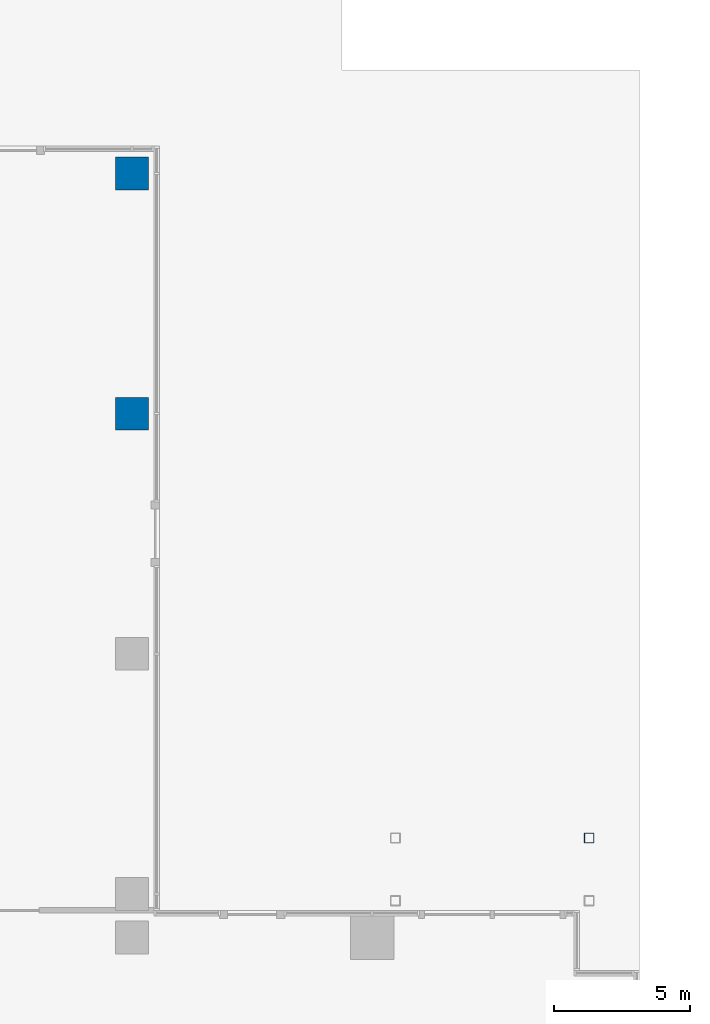
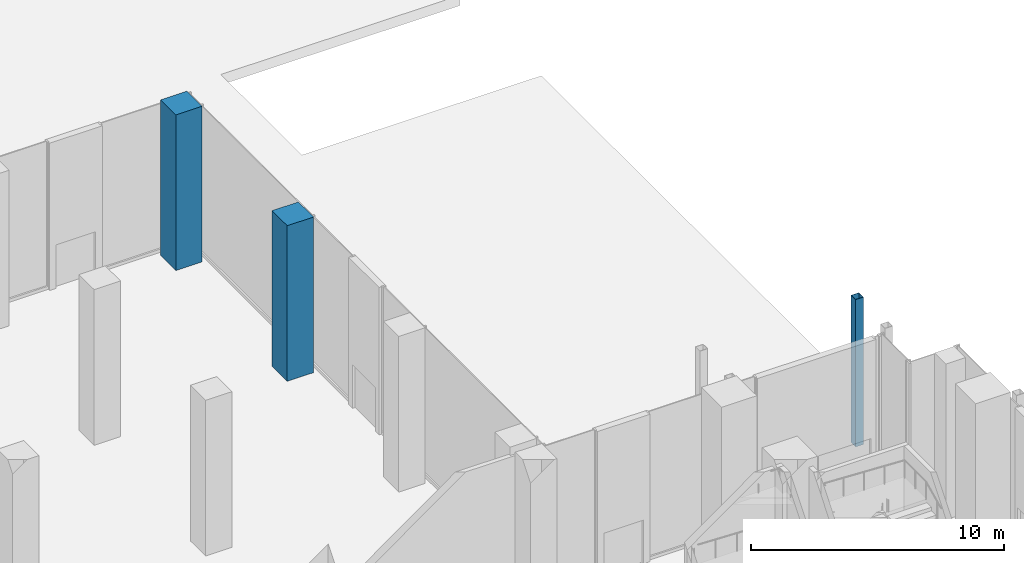
# One storey, part 6 of 41: 3 columns.
"""IFC4 building model written with IfcOpenShell, lengths in metres."""

import ifcopenshell
import ifcopenshell.guid

model = None  # the IFC model being written
_history = None  # IfcOwnerHistory: only IFC2X3 demands one
_inside = {}  # id of a spatial element -> (the spatial element, [elements in it])
_under = {}  # id of a project, library or spatial element -> (it, [spatial elements below it])
_declared = {}  # id of a project -> (the project, [libraries it declares])
_typed = {}  # id of a type object -> (the type object, [elements of that type])
_made_of = {}  # id of a material, layer set ... -> (it, [elements and type objects made of it])


def new_model(schema):
    """Start an empty IFC model of exactly this schema.

    Asked for "IFC4X3", IfcOpenShell would pick the latest addendum, in which some entities
    have other attributes; the version numbers below select the first issue.
    IFC2X3 requires an IfcOwnerHistory on every rooted entity: one is made here for all.
    """
    global model, _history
    if schema == "IFC4X3":
        model = ifcopenshell.file(schema_version=(4, 3, 0, 0))
    else:
        model = ifcopenshell.file(schema=schema)
    _inside.clear()
    _under.clear()
    _declared.clear()
    _typed.clear()
    _made_of.clear()
    _history = None
    if model.schema == "IFC2X3":
        org = make("IfcOrganization", Name="unknown")
        user = make(
            "IfcPersonAndOrganization",
            ThePerson=make("IfcPerson", FamilyName="unknown"),
            TheOrganization=org,
        )
        app = make(
            "IfcApplication",
            ApplicationDeveloper=org,
            Version="unknown",
            ApplicationFullName="unknown",
            ApplicationIdentifier="unknown",
        )
        _history = make(
            "IfcOwnerHistory",
            OwningUser=user,
            OwningApplication=app,
            ChangeAction="ADDED",
            CreationDate=0,
        )
    return model


def make(cls, **values):
    """One entity of the class cls with the attributes given. An attribute that is None is left unset."""
    return model.create_entity(
        cls, **{name: value for name, value in values.items() if value is not None}
    )


def rooted(cls, **values):
    """An entity with a GlobalId (a new one), such as an element, a storey or a relation."""
    return make(cls, GlobalId=ifcopenshell.guid.new(), OwnerHistory=_history, **values)


def si_unit(unit_type, name, prefix=None):
    """IfcSIUnit, for example si_unit("LENGTHUNIT", "METRE", prefix="MILLI")."""
    return make("IfcSIUnit", UnitType=unit_type, Prefix=prefix, Name=name)


def assignment(units):
    """IfcUnitAssignment: the units of a project."""
    return None if units is None else make("IfcUnitAssignment", Units=units)


def point(xyz):
    """IfcCartesianPoint."""
    return None if xyz is None else make("IfcCartesianPoint", Coordinates=xyz)


def direction(xyz):
    """IfcDirection."""
    return None if xyz is None else make("IfcDirection", DirectionRatios=xyz)


def frame(location, z_axis=None, x_axis=None):
    """IfcAxis2Placement3D, a coordinate frame: its origin and axes. An axis left out is left unset."""
    return make(
        "IfcAxis2Placement3D",
        Location=point(location),
        Axis=direction(z_axis),
        RefDirection=direction(x_axis),
    )


def frame_2d(location, x_axis=None):
    """IfcAxis2Placement2D, a coordinate frame in the plane: its origin and x axis."""
    return make(
        "IfcAxis2Placement2D", Location=point(location), RefDirection=direction(x_axis)
    )


def origin():
    """The frame at (0, 0, 0) with its axes left unset."""
    return frame((0.0, 0.0, 0.0))


def origin_2d():
    """The frame at (0, 0) in the plane with its x axis left unset."""
    return frame_2d((0.0, 0.0))


def place(relative_to, where):
    """IfcLocalPlacement: puts the frame where relative to a parent placement (None: the world)."""
    return make(
        "IfcLocalPlacement", PlacementRelTo=relative_to, RelativePlacement=where
    )


def context(
    kind, dimensions, precision=None, world=None, true_north=None, identifier=None
):
    """IfcGeometricRepresentationContext, for example the 3D "Model" context."""
    return make(
        "IfcGeometricRepresentationContext",
        ContextIdentifier=identifier,
        ContextType=kind,
        CoordinateSpaceDimension=dimensions,
        Precision=precision,
        WorldCoordinateSystem=world,
        TrueNorth=true_north,
    )


def subcontext(parent, identifier, kind, view, scale=None):
    """IfcGeometricRepresentationSubContext, for example "Body" below "Model"."""
    return make(
        "IfcGeometricRepresentationSubContext",
        ContextIdentifier=identifier,
        ContextType=kind,
        ParentContext=parent,
        TargetScale=scale,
        TargetView=view,
    )


def project(units=None, contexts=None):
    """IfcProject with its units and contexts."""
    return rooted(
        "IfcProject",
        Name="project",
        RepresentationContexts=contexts,
        UnitsInContext=assignment(units),
    )


def spatial(cls, under=None, at=None, **own):
    """A site, building, storey or space (cls), placed at a placement, below another one or the project."""
    s = rooted(cls, ObjectPlacement=at, **own)
    if under is not None:
        _under.setdefault(under.id(), (under, []))[1].append(s)
    return s


def profile(cls, at=None, kind="AREA", **sizes):
    """A parametric profile (cls). Its sizes go by their IFC names, for example OverallWidth=200.0."""
    return make(cls, ProfileType=kind, Position=at, **sizes)


def rectangle(**sizes):
    """IfcRectangleProfileDef."""
    return profile("IfcRectangleProfileDef", **sizes)


def hollow_rectangle(**sizes):
    """IfcRectangleHollowProfileDef."""
    return profile("IfcRectangleHollowProfileDef", **sizes)


def extrude(swept, where, along, depth):
    """IfcExtrudedAreaSolid: the profile swept, set in the frame where, extruded along a direction by depth."""
    return make(
        "IfcExtrudedAreaSolid",
        SweptArea=swept,
        Position=where,
        ExtrudedDirection=direction(along),
        Depth=depth,
    )


def shape(context_of_items, identifier, shape_type, items):
    """IfcShapeRepresentation: the items that make up one representation, for example the "Body"."""
    return make(
        "IfcShapeRepresentation",
        ContextOfItems=context_of_items,
        RepresentationIdentifier=identifier,
        RepresentationType=shape_type,
        Items=items,
    )


def material(Name=None, Category=None):
    """IfcMaterial."""
    return make("IfcMaterial", Name=Name, Category=Category)


def material_profile(
    of_material, cross_section, Name=None, Category=None, Priority=None
):
    """IfcMaterialProfile: a cross section and its material."""
    return make(
        "IfcMaterialProfile",
        Name=Name,
        Material=of_material,
        Profile=cross_section,
        Priority=Priority,
        Category=Category,
    )


def profile_set(profiles, Name=None, composite=None):
    """IfcMaterialProfileSet."""
    return make(
        "IfcMaterialProfileSet",
        Name=Name,
        MaterialProfiles=profiles,
        CompositeProfile=composite,
    )


def made_of(thing, what):
    """Note that an element or type object is made of a material, layer set ...; save() writes the relation."""
    if what is not None:
        _made_of.setdefault(what.id(), (what, []))[1].append(thing)
    return thing


def type_object(cls, material=None, **own):
    """A type object (cls), such as IfcWallType, which elements share."""
    return made_of(rooted(cls, **own), material)


def element(
    cls,
    number,
    at=None,
    inside=None,
    cuts=None,
    type_object=None,
    material=None,
    context=None,
    identifier="Body",
    shape_type=None,
    held_by="IfcProductDefinitionShape",
    body=None,
    shapes=None,
    **own,
):
    """One element of the class cls, such as IfcWall. Its Tag is "e" and its number.

    at: its placement. inside: the storey or other place that contains it. cuts: it is an
    opening in that element (IfcRelVoidsElement). A single representation is given by context,
    identifier, shape_type and body (its items); several are given by shapes. held_by: the class
    of the entity that holds the representations. save() writes the other relations.
    """
    e = rooted(cls, Tag="e%d" % number, ObjectPlacement=at, **own)
    if body is not None:
        shapes = [shape(context, identifier, shape_type, body)]
    if shapes is not None:
        e.Representation = make(held_by, Representations=shapes)
    if inside is not None:
        _inside.setdefault(inside.id(), (inside, []))[1].append(e)
    if cuts is not None:
        rooted(
            "IfcRelVoidsElement", RelatingBuildingElement=cuts, RelatedOpeningElement=e
        )
    if type_object is not None:
        _typed.setdefault(type_object.id(), (type_object, []))[1].append(e)
    return made_of(e, material)


def aggregate(whole, parts):
    """IfcRelAggregates: a whole, such as a stair, and the parts it consists of."""
    return rooted("IfcRelAggregates", RelatingObject=whole, RelatedObjects=parts)


def save(model, path):
    """Write the relations noted so far, then the file.

    IfcRelAggregates (storeys below a building ...), IfcRelContainedInSpatialStructure (elements
    in a storey), IfcRelDefinesByType, IfcRelAssociatesMaterial and IfcRelDeclares: one each for
    every whole, place, type object, material and project.
    """
    for whole, parts in _under.values():
        aggregate(whole, parts)
    for where, things in _inside.values():
        rooted(
            "IfcRelContainedInSpatialStructure",
            RelatedElements=things,
            RelatingStructure=where,
        )
    for kind, things in _typed.values():
        rooted("IfcRelDefinesByType", RelatedObjects=things, RelatingType=kind)
    for what, things in _made_of.values():
        rooted("IfcRelAssociatesMaterial", RelatedObjects=things, RelatingMaterial=what)
    for by, libraries in _declared.values():
        rooted("IfcRelDeclares", RelatingContext=by, RelatedDefinitions=libraries)
    model.write(path)


model = new_model("IFC4")

# Units and contexts
model_context = context("Model", 3, precision=1e-05, world=origin(), true_north=direction((0.0, 1.0)))
body_context = subcontext(model_context, "Body", "Model", "MODEL_VIEW")
ifc_project = project(units=[si_unit("LENGTHUNIT", "METRE"), si_unit("AREAUNIT", "SQUARE_METRE"), si_unit("VOLUMEUNIT", "CUBIC_METRE"), si_unit("PLANEANGLEUNIT", "RADIAN"), si_unit("MASSUNIT", "GRAM", prefix="KILO")], contexts=[model_context])

# Site, building, storey
site_placement = place(None, origin())
site = spatial("IfcSite", under=ifc_project, at=site_placement, CompositionType="ELEMENT")
building_placement = place(site_placement, origin())
building = spatial("IfcBuilding", under=site, at=building_placement, Name="Kemantara Hotel Tower", CompositionType="ELEMENT")
storey_placement = place(building_placement, origin())
storey = spatial("IfcBuildingStorey", under=building, at=storey_placement, Name="L00", CompositionType="ELEMENT", Elevation=0.0)

# Columns
ifc_material_1 = material(Name="Steel ASTM A500 Grade C", Category="steel")
ifc_material_profile_1 = material_profile(ifc_material_1, hollow_rectangle(XDim=0.355712890625, YDim=0.355712890625, WallThickness=0.0126953125, at=origin_2d()), Name="HSS355.6X355.6X12.7")
ifc_profile_set_1 = profile_set([ifc_material_profile_1], Name="Steel ASTM A500 Grade C")
column_type_1 = type_object("IfcColumnType", Name="CANOPY POST HSS355.6X355.6X12.7", PredefinedType="COLUMN", material=ifc_profile_set_1)
column_placement = place(storey_placement, frame((79.35009765625, 29.449951171875, 0.0), z_axis=(0.0, 0.0, 1.0), x_axis=(1.0, 0.0, 0.0)))
element("IfcColumn", 1, at=column_placement, inside=storey, type_object=column_type_1, Name="CANOPY POST STATION-N-4", PredefinedType="COLUMN", context=body_context, shape_type="SweptSolid", body=[
    extrude(hollow_rectangle(XDim=0.355712890625, YDim=0.355712890625, WallThickness=0.0126953125, at=origin_2d()), origin(), (0.0, 0.0, 1.0), 7.10009765625),
])
ifc_material_2 = material(Name="Concrete fc 70 MPa", Category="concrete")
ifc_material_profile_2 = material_profile(ifc_material_2, rectangle(XDim=1.199951171875, YDim=1.199951171875, at=origin_2d()), Name="RC 1200X1200")
ifc_profile_set_2 = profile_set([ifc_material_profile_2], Name="Concrete fc 70 MPa")
column_type_2 = type_object("IfcColumnType", Name="RC COLUMN 1200X1200 FC70", PredefinedType="COLUMN", material=ifc_profile_set_2)
for number, where, z_axis, x_axis, name in (
    (2, (62.60009765625, 45.0, 0.0), (0.0, 0.0, 1.0), (1.0, 0.0, 0.0), "COLUMN 8/F L00"),
    (3, (62.60009765625, 53.800048828125, 0.0), (0.0, 0.0, 1.0), (1.0, 0.0, 0.0), "COLUMN 8/G L00"),
):
    element("IfcColumn", number, at=place(storey_placement, frame(where, z_axis=z_axis, x_axis=x_axis)), inside=storey, type_object=column_type_2, Name=name, PredefinedType="COLUMN", context=body_context, shape_type="SweptSolid", body=[
        extrude(rectangle(XDim=1.199951171875, YDim=1.199951171875, at=origin_2d()), origin(), (0.0, 0.0, 1.0), 7.5),
    ])

save(model, "model.ifc")
